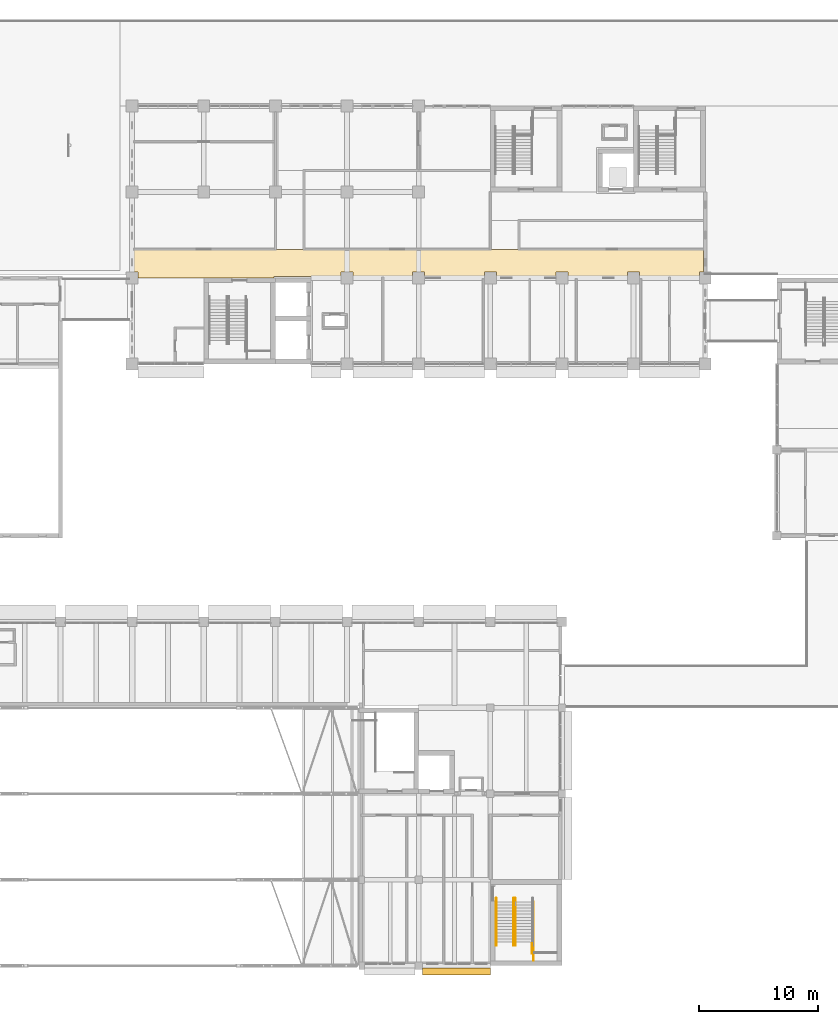
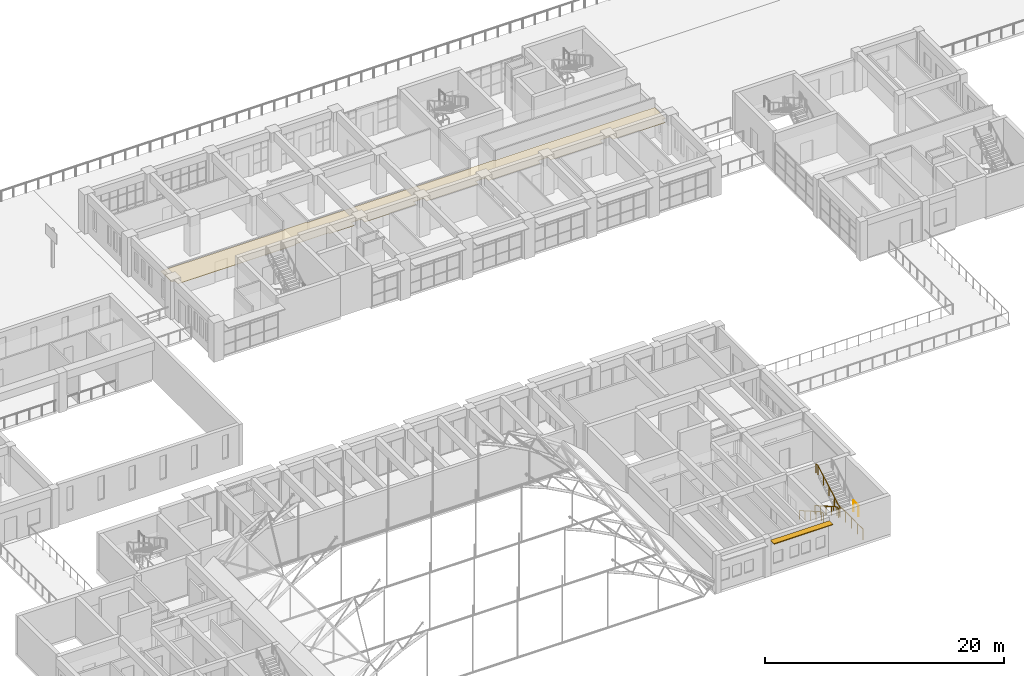
# One storey, part 93 of 101: 5 railings, 1 covering, 1 shading device.
"""IFC4 building model written with IfcOpenShell, lengths in metres."""

from ifc_helpers import new_model, si_unit, direction, frame, origin, origin_2d, place, context, subcontext, project, spatial, polyline, rectangle, circle, outline, extrude, material, layer, layer_set, type_object, element, save


model = new_model("IFC4")

# Units and contexts
model_context = context("Model", 3, precision=1e-05, world=origin(), true_north=direction((0.0, 1.0)))
body_context = subcontext(model_context, "Body", "Model", "MODEL_VIEW")
ifc_project = project(units=[si_unit("LENGTHUNIT", "METRE"), si_unit("AREAUNIT", "SQUARE_METRE"), si_unit("VOLUMEUNIT", "CUBIC_METRE"), si_unit("PLANEANGLEUNIT", "RADIAN"), si_unit("MASSUNIT", "GRAM", prefix="KILO")], contexts=[model_context])

# Site, building, storey
site_placement = place(None, origin())
site = spatial("IfcSite", under=ifc_project, at=site_placement, CompositionType="ELEMENT")
building_placement = place(site_placement, origin())
building = spatial("IfcBuilding", under=site, at=building_placement, Name="Laocheng Heights Fire and Rescue Headquarters", CompositionType="ELEMENT")
storey_placement = place(building_placement, frame((0.0, 0.0, 8.39990234375)))
storey = spatial("IfcBuildingStorey", under=building, at=storey_placement, Name="L02", CompositionType="ELEMENT", Elevation=8.39990234375)

# Shading device
ifc_material_1 = material(Name="Precast concrete C40/50, light warm grey", Category="concrete")
ifc_layer_1 = layer(ifc_material_1, 0.080078125)
ifc_layer_set_1 = layer_set([ifc_layer_1], Name="Precast concrete C40/50, light warm grey")
shading_device_type = type_object("IfcShadingDeviceType", Name="PRECAST BLADE 600 x 80 BLADE E FLANK SOUTH", PredefinedType="JALOUSIE", material=ifc_layer_set_1)
shading_device_placement = place(storey_placement, frame((63.14990234375, -0.5, 3.510009765625), z_axis=(0.0, 0.0, 1.0), x_axis=(1.0, 0.0, 0.0)))
element("IfcShadingDevice", 1, at=shading_device_placement, inside=storey, type_object=shading_device_type, Name="BLADE E FLANK SOUTH L02", PredefinedType="JALOUSIE", context=body_context, shape_type="SweptSolid", body=[
    extrude(rectangle(XDim=5.699951171875, YDim=0.60009765625, at=origin_2d()), origin(), (0.0, 0.0, 1.0), 0.080078125),
])

# Railings
ifc_material_2 = material(Name="Steel Q355B", Category="steel")
railing_type_1 = type_object("IfcRailingType", Name="STAIR GUARD 1100", PredefinedType="GUARDRAIL", material=ifc_material_2)
railing_1_placement = place(storey_placement, frame((69.60498046875, 0.419921875, 0.0)))
element("IfcRailing", 2, at=railing_1_placement, inside=storey, type_object=railing_type_1, Name="Stair E2 guard L02 strip edge", PredefinedType="GUARDRAIL", context=body_context, shape_type="SweptSolid", body=[
    extrude(circle(Radius=0.02392578125, at=origin_2d()), frame((0.0, 0.0, 1.076171875), z_axis=(0.0, 1.0, 0.0), x_axis=(-1.0, 0.0, 0.0)), (0.0, 0.0, 1.0), 4.93017578125),
    extrude(circle(Radius=0.02099609375, at=origin_2d()), origin(), (0.0, 0.0, 1.0), 1.052001953125),
    extrude(circle(Radius=0.02099609375, at=origin_2d()), frame((0.0, 0.986083984375, 0.0)), (0.0, 0.0, 1.0), 1.052001953125),
    extrude(circle(Radius=0.02099609375, at=origin_2d()), frame((0.0, 1.97216796875, 0.0)), (0.0, 0.0, 1.0), 1.052001953125),
    extrude(circle(Radius=0.02099609375, at=origin_2d()), frame((0.0, 2.9580078125, 0.0)), (0.0, 0.0, 1.0), 1.052001953125),
    extrude(circle(Radius=0.02099609375, at=origin_2d()), frame((0.0, 3.944091796875, 0.0)), (0.0, 0.0, 1.0), 1.052001953125),
    extrude(circle(Radius=0.02099609375, at=origin_2d()), frame((0.0, 4.93017578125, 0.0)), (0.0, 0.0, 1.0), 1.052001953125),
])
railing_2_placement = place(storey_placement, frame((69.4951171875, 1.02001953125, 2.10009765625)))
element("IfcRailing", 3, at=railing_2_placement, inside=storey, type_object=railing_type_1, Name="Stair E2 guard L02 half landing", PredefinedType="GUARDRAIL", context=body_context, shape_type="SweptSolid", body=[
    extrude(circle(Radius=0.02392578125, at=origin_2d()), frame((0.0, 0.0, 1.076171875), z_axis=(0.0, 1.0, 0.0), x_axis=(-1.0, 0.0, 0.0)), (0.0, 0.0, 1.0), 0.85009765625),
    extrude(circle(Radius=0.02099609375, at=origin_2d()), origin(), (0.0, 0.0, 1.0), 1.052001953125),
    extrude(circle(Radius=0.02099609375, at=origin_2d()), frame((0.0, 0.85009765625, 0.0)), (0.0, 0.0, 1.0), 1.052001953125),
])
ifc_material_3 = material(Name="Steel Q355B", Category="steel")
railing_type_2 = type_object("IfcRailingType", Name="STAIR HANDRAIL 920", PredefinedType="HANDRAIL", material=ifc_material_3)
for number, where, name in (
    (4, (66.4951171875, 5.64990234375, 0.0), "Stair E2 handrail L02 1"),
    (5, (67.955078125, 5.64990234375, 0.0), "Stair E2 handrail L02 2"),
):
    element("IfcRailing", number, at=place(storey_placement, frame(where)), inside=storey, type_object=railing_type_2, Name=name, PredefinedType="HANDRAIL", context=body_context, shape_type="SweptSolid", body=[
        extrude(circle(Radius=0.02392578125, at=origin_2d()), frame((0.0, 0.0, 0.89599609375), z_axis=(0.0, -0.868519587458, 0.495654845838), x_axis=(1.0, 0.0, 0.0)), (0.0, 0.0, 1.0), 4.237060546875),
        extrude(circle(Radius=0.02392578125, at=origin_2d()), frame((0.0, -3.679931640625, 2.99609375), z_axis=(0.0, -1.0, 0.0), x_axis=(1.0, 0.0, 0.0)), (0.0, 0.0, 1.0), 0.300048828125),
        extrude(circle(Radius=0.02099609375, at=origin_2d()), origin(), (0.0, 0.0, 1.0), 0.871826171875),
        extrude(circle(Radius=0.02099609375, at=origin_2d()), frame((0.0, -0.919921875, 0.52490234375)), (0.0, 0.0, 1.0), 0.871826171875),
        extrude(circle(Radius=0.02099609375, at=origin_2d()), frame((0.0, -1.83984375, 1.050048828125)), (0.0, 0.0, 1.0), 0.871826171875),
        extrude(circle(Radius=0.02099609375, at=origin_2d()), frame((0.0, -2.760009765625, 1.5751953125)), (0.0, 0.0, 1.0), 0.871826171875),
        extrude(circle(Radius=0.02099609375, at=origin_2d()), frame((0.0, -3.679931640625, 2.10009765625)), (0.0, 0.0, 1.0), 0.871826171875),
        extrude(circle(Radius=0.02099609375, at=origin_2d()), frame((0.0, -3.97998046875, 2.10009765625)), (0.0, 0.0, 1.0), 0.871826171875),
    ])
railing_3_placement = place(storey_placement, frame((68.094970703125, 1.669921875, 2.10009765625)))
element("IfcRailing", 6, at=railing_3_placement, inside=storey, type_object=railing_type_2, Name="Stair E2 handrail L02 3", PredefinedType="HANDRAIL", context=body_context, shape_type="SweptSolid", body=[
    extrude(circle(Radius=0.02392578125, at=origin_2d()), frame((0.0, 0.0, 0.89599609375), z_axis=(0.0, 0.868533742332, 0.495630041896), x_axis=(-1.0, 0.0, 0.0)), (0.0, 0.0, 1.0), 4.2373046875),
    extrude(circle(Radius=0.02392578125, at=origin_2d()), frame((0.0, 3.68017578125, 2.99609375), z_axis=(0.0, 1.0, 0.0), x_axis=(-1.0, 0.0, 0.0)), (0.0, 0.0, 1.0), 0.2998046875),
    extrude(circle(Radius=0.02099609375, at=origin_2d()), origin(), (0.0, 0.0, 1.0), 0.871826171875),
    extrude(circle(Radius=0.02099609375, at=origin_2d()), frame((0.0, 0.919921875, 0.52490234375)), (0.0, 0.0, 1.0), 0.871826171875),
    extrude(circle(Radius=0.02099609375, at=origin_2d()), frame((0.0, 1.840087890625, 1.050048828125)), (0.0, 0.0, 1.0), 0.871826171875),
    extrude(circle(Radius=0.02099609375, at=origin_2d()), frame((0.0, 2.76025390625, 1.5751953125)), (0.0, 0.0, 1.0), 0.871826171875),
    extrude(circle(Radius=0.02099609375, at=origin_2d()), frame((0.0, 3.68017578125, 2.10009765625)), (0.0, 0.0, 1.0), 0.871826171875),
    extrude(circle(Radius=0.02099609375, at=origin_2d()), frame((0.0, 3.97998046875, 2.10009765625)), (0.0, 0.0, 1.0), 0.871826171875),
])

# Covering
ifc_material_4 = material(Name="Mineral fibre ceiling tile")
ifc_layer_2 = layer(ifc_material_4, 0.0400390625)
ifc_layer_set_2 = layer_set([ifc_layer_2], Name="Mineral fibre ceiling tile")
covering_type = type_object("IfcCoveringType", Name="SUSPENDED CEILING MINERAL FIBRE TILE HQ WING", PredefinedType="CEILING", material=ifc_layer_set_2)
covering_placement = place(storey_placement, frame((0.0, 0.0, 3.0)))
element("IfcCovering", 7, at=covering_placement, inside=storey, type_object=covering_type, Name="Circulation ceiling", PredefinedType="CEILING", context=body_context, shape_type="SweptSolid", body=[
    extrude(outline(polyline([(68.324951171875, 59.925048828125), (68.47509765625, 59.925048828125), (83.85009765625, 59.925048828125), (83.85009765625, 58.10009765625), (83.5, 58.10009765625), (83.5, 57.60009765625), (81.074951171875, 57.60009765625), (81.074951171875, 57.675048828125), (80.925048828125, 57.675048828125), (78.5, 57.675048828125), (78.5, 58.10009765625), (77.5, 58.10009765625), (77.5, 57.675048828125), (72.5, 57.675048828125), (72.5, 58.10009765625), (71.5, 58.10009765625), (71.5, 57.675048828125), (66.5, 57.675048828125), (66.5, 58.10009765625), (65.5, 58.10009765625), (65.5, 57.675048828125), (60.5, 57.675048828125), (60.5, 58.10009765625), (59.5, 58.10009765625), (59.5, 57.675048828125), (57.074951171875, 57.675048828125), (56.925048828125, 57.675048828125), (56.925048828125, 57.60009765625), (54.5, 57.60009765625), (54.5, 58.10009765625), (53.5, 58.10009765625), (53.5, 57.60009765625), (51.125, 57.60009765625), (51.125, 57.72509765625), (50.875, 57.72509765625), (48.125, 57.72509765625), (47.875, 57.72509765625), (47.875, 57.60009765625), (36.5, 57.60009765625), (36.5, 58.10009765625), (36.14990234375, 58.10009765625), (36.14990234375, 59.925048828125), (47.925048828125, 59.925048828125), (48.074951171875, 59.925048828125), (48.074951171875, 60.0), (50.324951171875, 60.0), (50.324951171875, 59.925048828125), (50.47509765625, 59.925048828125), (65.925048828125, 59.925048828125), (66.074951171875, 59.925048828125), (66.074951171875, 60.0), (68.324951171875, 60.0), (68.324951171875, 59.925048828125)])), origin(), (0.0, 0.0, 1.0), 0.0400390625),
])

save(model, "model.ifc")
